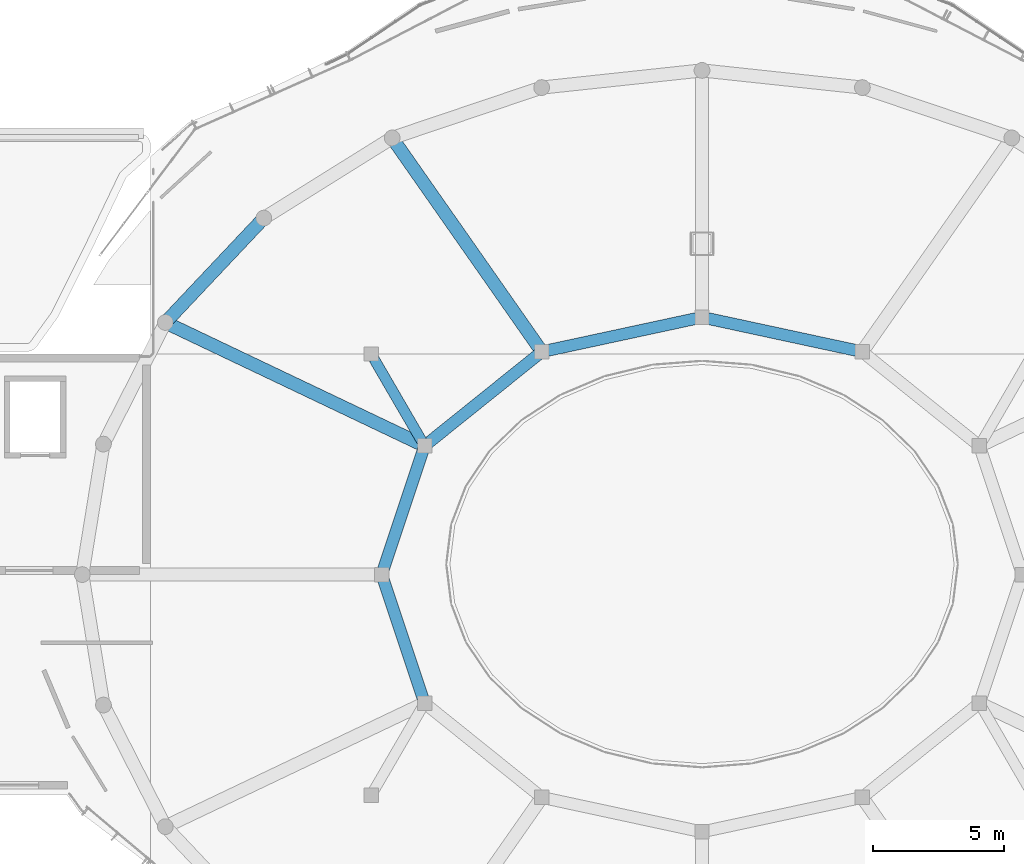
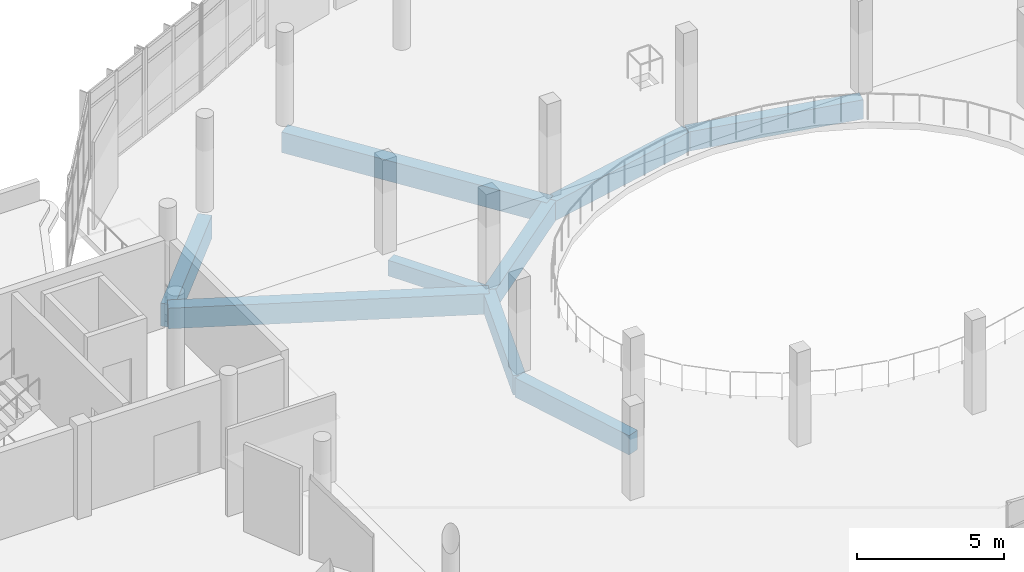
# One storey, part 36 of 74: 9 beams.
"""IFC4 building model written with IfcOpenShell, lengths in metres."""

from ifc_helpers import new_model, si_unit, derived_unit, direction, frame, origin, origin_2d, place, context, subcontext, project, spatial, rectangle, extrude, material, material_profile, profile_set, type_object, element, save


model = new_model("IFC4")

# Units and contexts
model_context = context("Model", 3, precision=1e-05, world=origin(), true_north=direction((0.0, 1.0)))
body_context = subcontext(model_context, "Body", "Model", "MODEL_VIEW")
ifc_project = project(units=[si_unit("LENGTHUNIT", "METRE"), si_unit("AREAUNIT", "SQUARE_METRE"), si_unit("VOLUMEUNIT", "CUBIC_METRE"), si_unit("PLANEANGLEUNIT", "RADIAN"), si_unit("MASSUNIT", "GRAM", prefix="KILO"), derived_unit("THERMALTRANSMITTANCEUNIT", [(si_unit("POWERUNIT", "WATT"), 1), (si_unit("LENGTHUNIT", "METRE"), -2), (si_unit("THERMODYNAMICTEMPERATUREUNIT", "KELVIN"), -1)])], contexts=[model_context])

# Site, building, storey
site_placement = place(None, origin())
site = spatial("IfcSite", under=ifc_project, at=site_placement, CompositionType="ELEMENT")
building_placement = place(site_placement, origin())
building = spatial("IfcBuilding", under=site, at=building_placement, Name="Elbkamm Science Centre", CompositionType="ELEMENT")
storey_placement = place(building_placement, frame((0.0, 0.0, 14.39990234375)))
storey = spatial("IfcBuildingStorey", under=building, at=storey_placement, Name="L03", CompositionType="ELEMENT", Elevation=14.39990234375)

# Beams
ifc_material = material(Name="Concrete C40/50", Category="concrete")
ifc_material_profile_1 = material_profile(ifc_material, rectangle(XDim=0.39990234375, YDim=0.64990234375, at=origin_2d()), Name="RC 400x650")
ifc_profile_set_1 = profile_set([ifc_material_profile_1], Name="Concrete C40/50")
beam_type_1 = type_object("IfcBeamType", Name="BM-RC-400x650", PredefinedType="BEAM", material=ifc_profile_set_1)
beam_1_placement = place(storey_placement, frame((50.510498046875, 75.409912109375, -0.60498046875), z_axis=(0.502465212806, -0.864597426506, 0.0), x_axis=(0.864597426506, 0.502465212806, 0.0)))
element("IfcBeam", 1, at=beam_1_placement, inside=storey, type_object=beam_type_1, Name="L03 Perimeter Ring Tie Girder 058", PredefinedType="BEAM", context=body_context, shape_type="SweptSolid", body=[
    extrude(rectangle(XDim=0.39990234375, YDim=0.64990234375, at=origin_2d()), origin(), (0.0, 0.0, 1.0), 3.608154296875),
])
ifc_material_profile_2 = material_profile(ifc_material, rectangle(XDim=0.449951171875, YDim=0.800048828125, at=origin_2d()), Name="RC 450x800")
ifc_profile_set_2 = profile_set([ifc_material_profile_2], Name="Concrete C40/50")
beam_type_2 = type_object("IfcBeamType", Name="BM-RC-450x800", PredefinedType="BEAM", material=ifc_profile_set_2)
for number, where, z_axis, x_axis, name in (
    (2, (69.10009765625, 75.68701171875, -0.679931640625), (-0.97761076487, 0.210421463759, 0.0), (-0.210421463759, -0.97761076487, 0.0), "L03 Atrium Ring Girder 03"),
    (3, (63.0, 77.0, -0.679931640625), (-0.97761076487, -0.210421463759, 0.0), (0.210421463759, -0.97761076487, 0.0), "L03 Atrium Ring Girder 04"),
):
    element("IfcBeam", number, at=place(storey_placement, frame(where, z_axis=z_axis, x_axis=x_axis)), inside=storey, type_object=beam_type_2, Name=name, PredefinedType="BEAM", context=body_context, shape_type="SweptSolid", body=[
        extrude(rectangle(XDim=0.449951171875, YDim=0.800048828125, at=origin_2d()), origin(), (0.0, 0.0, 1.0), 6.23974609375),
    ])
beam_2_placement = place(storey_placement, frame((56.89990234375, 75.68701171875, -0.679931640625), z_axis=(-0.779653109273, -0.626211648887, 0.0), x_axis=(0.626211648887, -0.779653109273, 0.0)))
element("IfcBeam", 4, at=beam_2_placement, inside=storey, type_object=beam_type_2, Name="L03 Atrium Ring Girder 05", PredefinedType="BEAM", context=body_context, shape_type="SweptSolid", body=[
    extrude(rectangle(XDim=0.449951171875, YDim=0.800048828125, at=origin_2d()), origin(), (0.0, 0.0, 1.0), 5.72802734375),
])
beam_3_placement = place(storey_placement, frame((52.43408203125, 72.10009765625, -0.679931640625), z_axis=(-0.31634119852, -0.948645479681, 0.0), x_axis=(0.948645479681, -0.31634119852, 0.0)))
element("IfcBeam", 5, at=beam_3_placement, inside=storey, type_object=beam_type_2, Name="L03 Atrium Ring Girder 06", PredefinedType="BEAM", context=body_context, shape_type="SweptSolid", body=[
    extrude(rectangle(XDim=0.449951171875, YDim=0.800048828125, at=origin_2d()), origin(), (0.0, 0.0, 1.0), 5.16552734375),
])
beam_4_placement = place(storey_placement, frame((50.800048828125, 67.199951171875, -0.679931640625), z_axis=(0.316355382987, -0.948640749523, 0.0), x_axis=(0.948640749523, 0.316355382987, 0.0)))
element("IfcBeam", 6, at=beam_4_placement, inside=storey, type_object=beam_type_2, Name="L03 Atrium Ring Girder 07", PredefinedType="BEAM", context=body_context, shape_type="SweptSolid", body=[
    extrude(rectangle(XDim=0.449951171875, YDim=0.800048828125, at=origin_2d()), origin(), (0.0, 0.0, 1.0), 5.165283203125),
])
ifc_material_profile_3 = material_profile(ifc_material, rectangle(XDim=0.5, YDim=0.85009765625, at=origin_2d()), Name="RC 500x850")
ifc_profile_set_3 = profile_set([ifc_material_profile_3], Name="Concrete C40/50")
beam_type_3 = type_object("IfcBeamType", Name="BM-RC-500x850", PredefinedType="BEAM", material=ifc_profile_set_3)
beam_5_placement = place(storey_placement, frame((56.89990234375, 75.68701171875, -0.704833984375), z_axis=(-0.573553022395, 0.819168438419, 0.0), x_axis=(-0.819168438419, -0.573553022395, 0.0)))
element("IfcBeam", 7, at=beam_5_placement, inside=storey, type_object=beam_type_3, Name="L03 Elliptical Radial Girder 05", PredefinedType="BEAM", context=body_context, shape_type="SweptSolid", body=[
    extrude(rectangle(XDim=0.5, YDim=0.85009765625, at=origin_2d()), origin(), (0.0, 0.0, 1.0), 9.93798828125),
])
beam_6_placement = place(storey_placement, frame((52.43408203125, 72.10009765625, -0.704833984375), z_axis=(-0.902897249077, 0.429856438371, 0.0), x_axis=(-0.429856438371, -0.902897249077, 0.0)))
element("IfcBeam", 8, at=beam_6_placement, inside=storey, type_object=beam_type_3, Name="L03 Elliptical Radial Girder 06", PredefinedType="BEAM", context=body_context, shape_type="SweptSolid", body=[
    extrude(rectangle(XDim=0.5, YDim=0.85009765625, at=origin_2d()), origin(), (0.0, 0.0, 1.0), 10.933837890625),
])
ifc_material_profile_4 = material_profile(ifc_material, rectangle(XDim=0.5, YDim=0.949951171875, at=origin_2d()), Name="RC 500x950")
ifc_profile_set_4 = profile_set([ifc_material_profile_4], Name="Concrete C40/50")
beam_type_4 = type_object("IfcBeamType", Name="BM-RC-500x950", PredefinedType="BEAM", material=ifc_profile_set_4)
beam_7_placement = place(storey_placement, frame((46.31201171875, 80.77587890625, -0.7548828125), z_axis=(-0.686144611421, -0.727465169075, 0.0), x_axis=(0.727465169075, -0.686144611421, 0.0)))
element("IfcBeam", 9, at=beam_7_placement, inside=storey, type_object=beam_type_4, Name="L03 Elliptical Shell Perimeter Ring Beam 10", PredefinedType="SPANDREL", context=body_context, shape_type="SweptSolid", body=[
    extrude(rectangle(XDim=0.5, YDim=0.949951171875, at=origin_2d()), origin(), (0.0, 0.0, 1.0), 5.46533203125),
])

save(model, "model.ifc")
